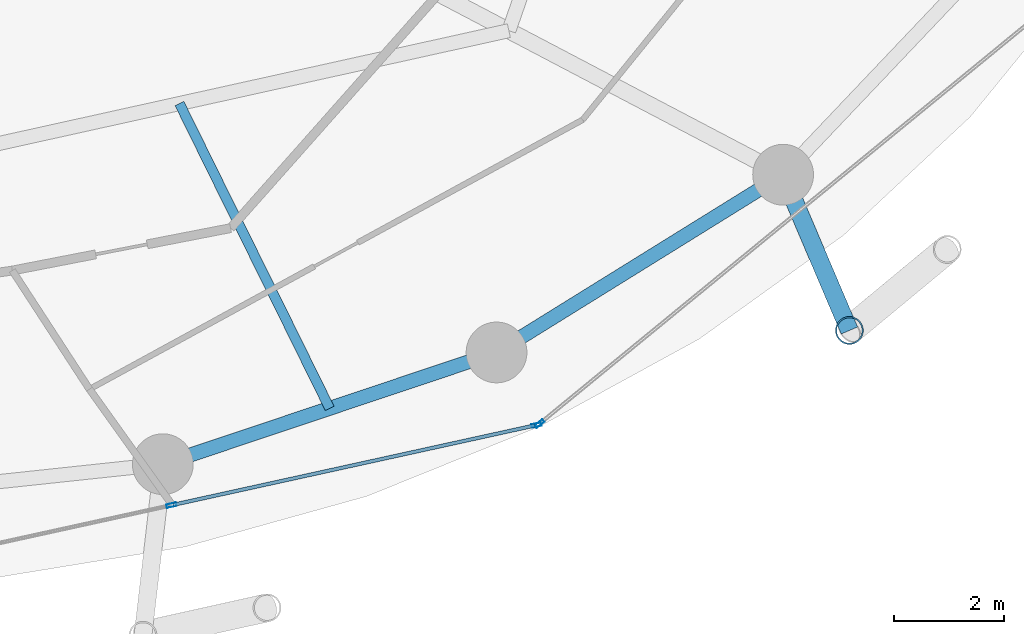
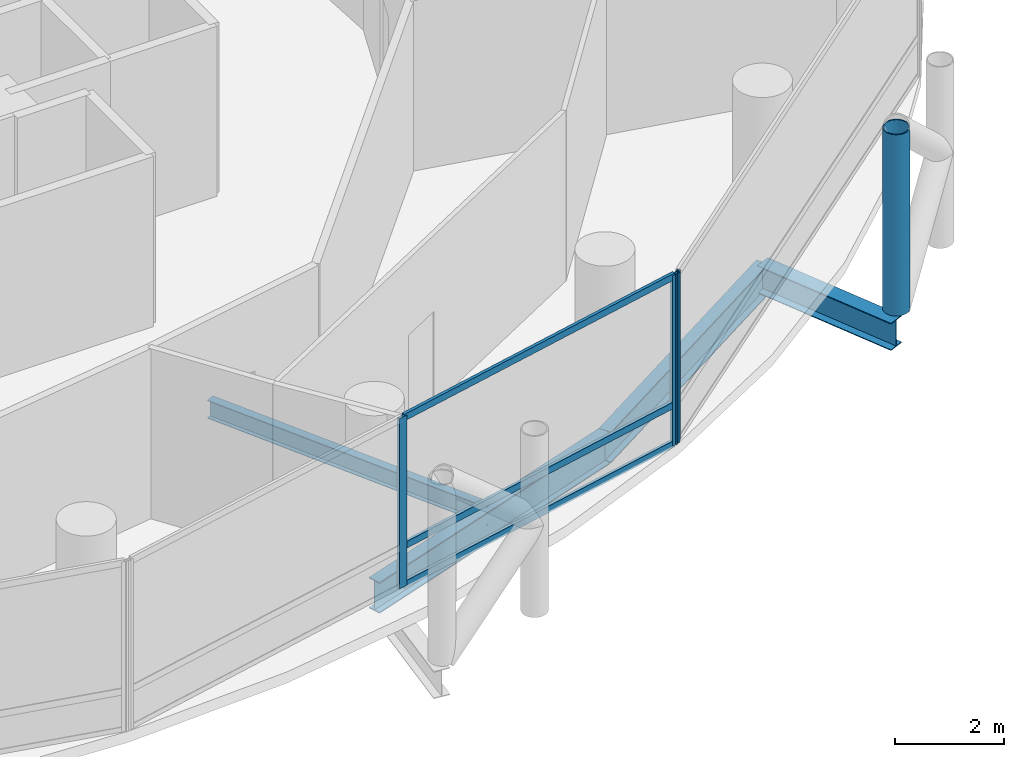
# One storey, part 8 of 24: 7 members, 4 beams, 2 elements without a shape of their own.
"""IFC4 building model written with IfcOpenShell, lengths in metres."""

from ifc_helpers import new_model, si_unit, direction, frame, origin, origin_2d, place, context, subcontext, project, spatial, hollow_rectangle, hollow_circle, i_section, extrude, material, layer, layer_set, material_profile, profile_set, type_object, element, aggregate, save


model = new_model("IFC4")

# Units and contexts
model_context = context("Model", 3, precision=1e-05, world=origin(), true_north=direction((0.0, 1.0)))
body_context = subcontext(model_context, "Body", "Model", "MODEL_VIEW")
ifc_project = project(units=[si_unit("LENGTHUNIT", "METRE"), si_unit("AREAUNIT", "SQUARE_METRE"), si_unit("VOLUMEUNIT", "CUBIC_METRE"), si_unit("PLANEANGLEUNIT", "RADIAN"), si_unit("MASSUNIT", "GRAM", prefix="KILO")], contexts=[model_context])

# Site, building, storey
site_placement = place(None, origin())
site = spatial("IfcSite", under=ifc_project, at=site_placement, CompositionType="ELEMENT")
building_placement = place(site_placement, origin())
building = spatial("IfcBuilding", under=site, at=building_placement, Name="Nuhasar Tower", CompositionType="ELEMENT")
storey_placement = place(building_placement, frame((0.0, 0.0, 81.75)))
storey = spatial("IfcBuildingStorey", under=building, at=storey_placement, Name="L19", CompositionType="ELEMENT", Elevation=81.75)

# Beams
ifc_material_1 = material(Name="Steel S355", Category="steel")
ifc_material_profile_1 = material_profile(ifc_material_1, i_section(OverallWidth=0.177978515625, OverallDepth=0.406005859375, WebThickness=0.0078125, FlangeThickness=0.0126953125, at=origin_2d()), Name="W16X40")
ifc_profile_set_1 = profile_set([ifc_material_profile_1], Name="Steel S355")
beam_type_1 = type_object("IfcBeamType", Name="BM-JST-W16X40", PredefinedType="JOIST", material=ifc_profile_set_1)
beam_1_placement = place(storey_placement, frame((45.783935546875, 13.77001953125, -0.452880859375), z_axis=(0.442126747458, -0.89695258469, 0.0), x_axis=(0.89695258469, 0.442126747458, 0.0)))
element("IfcBeam", 1, at=beam_1_placement, inside=storey, type_object=beam_type_1, Name="L19 Secondary Floor Joist 02", PredefinedType="JOIST", context=body_context, shape_type="SweptSolid", body=[
    extrude(i_section(OverallWidth=0.177978515625, OverallDepth=0.406005859375, WebThickness=0.0078125, FlangeThickness=0.0126953125, at=origin_2d()), origin(), (0.0, 0.0, 1.0), 6.152099609375),
])
ifc_material_profile_2 = material_profile(ifc_material_1, i_section(OverallWidth=0.256103515625, OverallDepth=0.693115234375, WebThickness=0.014404296875, FlangeThickness=0.023681640625, at=origin_2d()), Name="W27X114")
ifc_profile_set_2 = profile_set([ifc_material_profile_2], Name="Steel S355")
beam_type_2 = type_object("IfcBeamType", Name="BM-RING-W27X114", PredefinedType="SPANDREL", material=ifc_profile_set_2)
beam_2_placement = place(storey_placement, frame((45.48291015625, 7.239990234375, -0.596923828125), z_axis=(0.94826097201, 0.317491935271, 0.0), x_axis=(-0.317491935271, 0.94826097201, 0.0)))
element("IfcBeam", 2, at=beam_2_placement, inside=storey, type_object=beam_type_2, Name="L19 Perimeter Ring Spandrel 20", PredefinedType="SPANDREL", context=body_context, shape_type="SweptSolid", body=[
    extrude(i_section(OverallWidth=0.256103515625, OverallDepth=0.693115234375, WebThickness=0.014404296875, FlangeThickness=0.023681640625, at=origin_2d()), origin(), (0.0, 0.0, 1.0), 6.37158203125),
])
beam_3_placement = place(storey_placement, frame((51.52490234375, 9.262939453125, -0.596923828125), z_axis=(0.849795216549, 0.527112976439, 0.0), x_axis=(-0.527112976439, 0.849795216549, 0.0)))
element("IfcBeam", 3, at=beam_3_placement, inside=storey, type_object=beam_type_2, Name="L19 Perimeter Ring Spandrel 21", PredefinedType="SPANDREL", context=body_context, shape_type="SweptSolid", body=[
    extrude(i_section(OverallWidth=0.256103515625, OverallDepth=0.693115234375, WebThickness=0.014404296875, FlangeThickness=0.023681640625, at=origin_2d()), origin(), (0.0, 0.0, 1.0), 6.10498046875),
])
ifc_material_profile_3 = material_profile(ifc_material_1, i_section(OverallWidth=0.323974609375, OverallDepth=0.611083984375, WebThickness=0.0126953125, FlangeThickness=0.01904296875, at=origin_2d()), Name="W24X104")
ifc_profile_set_3 = profile_set([ifc_material_profile_3], Name="Steel S355")
beam_type_3 = type_object("IfcBeamType", Name="BM-TIE-W24X104", PredefinedType="BEAM", material=ifc_profile_set_3)
beam_4_placement = place(storey_placement, frame((56.712890625, 12.48095703125, -0.554931640625), z_axis=(0.391601084021, -0.920135093882, 0.0), x_axis=(0.920135093882, 0.391601084021, 0.0)))
element("IfcBeam", 4, at=beam_4_placement, inside=storey, type_object=beam_type_3, Name="L19 Exoskeleton Node Tie Beam 11", PredefinedType="BEAM", context=body_context, shape_type="SweptSolid", body=[
    extrude(i_section(OverallWidth=0.323974609375, OverallDepth=0.611083984375, WebThickness=0.0126953125, FlangeThickness=0.01904296875, at=origin_2d()), origin(), (0.0, 0.0, 1.0), 3.06494140625),
])

# Curtain wall, members
ifc_material_2 = material(Name="Aluminium 6063-T6", Category="aluminium")
ifc_layer = layer(ifc_material_2, 0.199951171875)
ifc_layer_set = layer_set([ifc_layer], Name="Aluminium 6063-T6")
curtain_wall_type = type_object("IfcCurtainWallType", Name="CW-Z1-OFF", PredefinedType="NOTDEFINED", material=ifc_layer_set)
curtain_wall_1_placement = place(storey_placement, origin())
curtain_wall_1 = element("IfcCurtainWall", 5, at=curtain_wall_1_placement, inside=storey, type_object=curtain_wall_type, Name="L19 Unitised Curtain Wall 10", PredefinedType="NOTDEFINED")
ifc_material_profile_4 = material_profile(ifc_material_2, hollow_rectangle(XDim=0.06494140625, YDim=0.179931640625, WallThickness=0.0048828125, at=origin_2d()), Name="CWM-2")
ifc_profile_set_4 = profile_set([ifc_material_profile_4], Name="Aluminium 6063-T6")
member_type_1 = type_object("IfcMemberType", Name="CW-MUL-S2", PredefinedType="MULLION", material=ifc_profile_set_4)
member_1_placement = place(storey_placement, frame((45.639892578125, 6.49755859375, 0.0), z_axis=(0.0, 0.0, 1.0), x_axis=(-0.214398737637, 0.976746221544, 0.0)))
member_1 = element("IfcMember", 6, at=member_1_placement, type_object=member_type_1, Name="CW-Z1 mullion 2", PredefinedType="MULLION", context=body_context, shape_type="SweptSolid", body=[
    extrude(hollow_rectangle(XDim=0.06494140625, YDim=0.179931640625, WallThickness=0.0048828125, at=origin_2d()), origin(), (0.0, 0.0, 1.0), 3.800048828125),
])
member_2_placement = place(storey_placement, frame((52.248291015625, 7.947998046875, 0.0), z_axis=(0.0, 0.0, 1.0), x_axis=(-0.214398737637, 0.976746221544, 0.0)))
member_2 = element("IfcMember", 7, at=member_2_placement, type_object=member_type_1, Name="CW-Z1 mullion 3", PredefinedType="MULLION", context=body_context, shape_type="SweptSolid", body=[
    extrude(hollow_rectangle(XDim=0.06494140625, YDim=0.179931640625, WallThickness=0.0048828125, at=origin_2d()), origin(), (0.0, 0.0, 1.0), 3.800048828125),
])

# Curtain wall, member
curtain_wall_2_placement = place(storey_placement, origin())
curtain_wall_2 = element("IfcCurtainWall", 8, at=curtain_wall_2_placement, inside=storey, type_object=curtain_wall_type, Name="L19 Unitised Curtain Wall 11", PredefinedType="NOTDEFINED")
member_3_placement = place(storey_placement, frame((52.30517578125, 7.9755859375, 0.0), z_axis=(0.0, 0.0, 1.0), x_axis=(-0.633744593376, 0.773542364946, 0.0)))
member_3 = element("IfcMember", 9, at=member_3_placement, type_object=member_type_1, Name="CW-Z1 mullion 1", PredefinedType="MULLION", context=body_context, shape_type="SweptSolid", body=[
    extrude(hollow_rectangle(XDim=0.06494140625, YDim=0.179931640625, WallThickness=0.0048828125, at=origin_2d()), origin(), (0.0, 0.0, 1.0), 3.800048828125),
])
aggregate(curtain_wall_2, [member_3])

# Member
ifc_material_profile_5 = material_profile(ifc_material_2, hollow_rectangle(XDim=0.06494140625, YDim=0.14990234375, WallThickness=0.00439453125, at=origin_2d()), Name="CWT-2")
ifc_profile_set_5 = profile_set([ifc_material_profile_5], Name="Aluminium 6063-T6")
member_type_2 = type_object("IfcMemberType", Name="CW-TRN-S2", PredefinedType="USERDEFINED", material=ifc_profile_set_5)
member_4_placement = place(storey_placement, frame((45.671630859375, 6.50439453125, 0.032470703125), z_axis=(0.976741923778, 0.214418316228, 0.0), x_axis=(-0.214418316228, 0.976741923778, 0.0)))
member_4 = element("IfcMember", 10, at=member_4_placement, type_object=member_type_2, Name="CW-Z1 transom 2.1", ObjectType="TRANSOM", PredefinedType="USERDEFINED", context=body_context, shape_type="SweptSolid", body=[
    extrude(hollow_rectangle(XDim=0.06494140625, YDim=0.14990234375, WallThickness=0.00439453125, at=origin_2d()), origin(), (0.0, 0.0, 1.0), 6.70068359375),
])

member_5_placement = place(storey_placement, frame((45.671630859375, 6.50439453125, 0.89990234375), z_axis=(0.976741923778, 0.214418316228, 0.0), x_axis=(-0.214418316228, 0.976741923778, 0.0)))
member_5 = element("IfcMember", 11, at=member_5_placement, type_object=member_type_2, Name="CW-Z1 transom 2.2", ObjectType="TRANSOM", PredefinedType="USERDEFINED", context=body_context, shape_type="SweptSolid", body=[
    extrude(hollow_rectangle(XDim=0.06494140625, YDim=0.14990234375, WallThickness=0.00439453125, at=origin_2d()), origin(), (0.0, 0.0, 1.0), 6.70068359375),
])

member_6_placement = place(storey_placement, frame((45.671630859375, 6.50439453125, 3.767578125), z_axis=(0.976741923778, 0.214418316228, 0.0), x_axis=(-0.214418316228, 0.976741923778, 0.0)))
member_6 = element("IfcMember", 12, at=member_6_placement, type_object=member_type_2, Name="CW-Z1 transom 2.3", ObjectType="TRANSOM", PredefinedType="USERDEFINED", context=body_context, shape_type="SweptSolid", body=[
    extrude(hollow_rectangle(XDim=0.06494140625, YDim=0.14990234375, WallThickness=0.00439453125, at=origin_2d()), origin(), (0.0, 0.0, 1.0), 6.70068359375),
])

aggregate(curtain_wall_1, [member_1, member_2, member_4, member_5, member_6])

ifc_material_3 = material(Name="Steel S460", Category="steel")
ifc_material_profile_6 = material_profile(ifc_material_3, hollow_circle(Radius=0.25390625, WallThickness=0.025390625, at=origin_2d()), Name="HSS508X25.4")
ifc_profile_set_6 = profile_set([ifc_material_profile_6], Name="Steel S460")
member_type_3 = type_object("IfcMemberType", Name="EXO-BRONZE-508", PredefinedType="BRACE", material=ifc_profile_set_6)
member_7_placement = place(storey_placement, frame((57.9130859375, 9.660888671875, 0.0), z_axis=(0.0, 0.0, 1.0), x_axis=(1.0, 0.0, 0.0)))
element("IfcMember", 13, at=member_7_placement, inside=storey, type_object=member_type_3, Name="L19 Exoskeleton Chord Column EC-11A", PredefinedType="BRACE", context=body_context, shape_type="SweptSolid", body=[
    extrude(hollow_circle(Radius=0.25390625, WallThickness=0.025390625, at=origin_2d()), origin(), (0.0, 0.0, 1.0), 4.050048828125),
])

save(model, "model.ifc")
